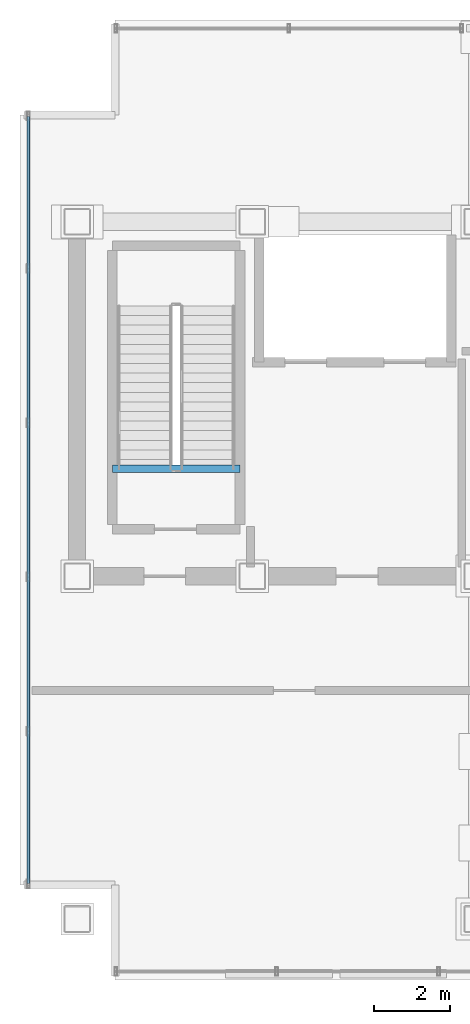
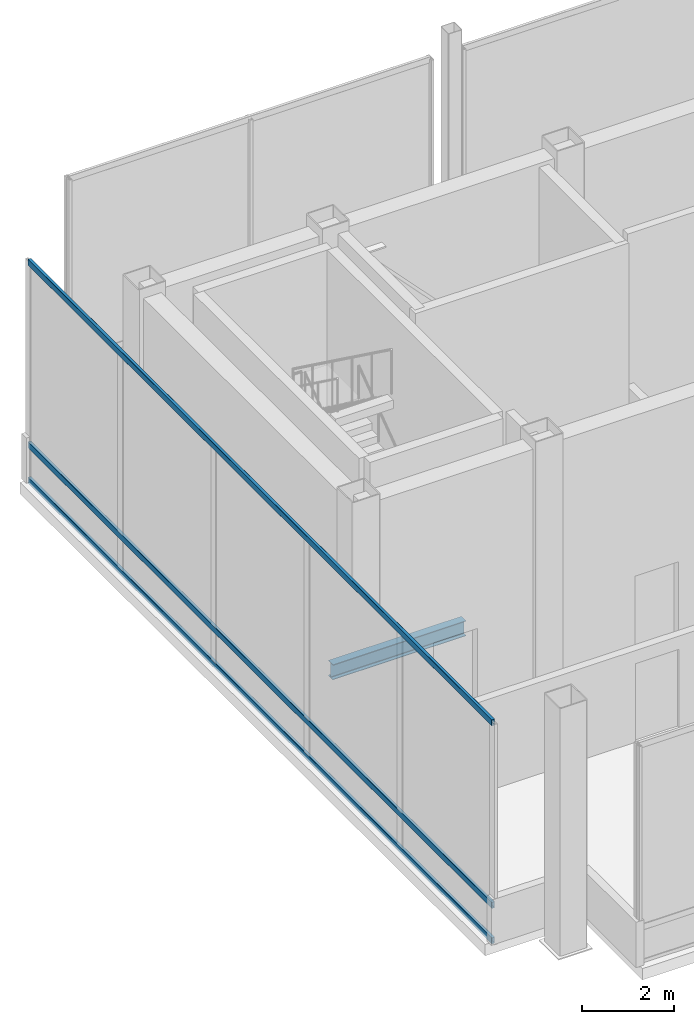
# One storey, part 5 of 19: 3 members, 1 beam, 1 element without a shape of its own.
"""IFC4 building model written with IfcOpenShell, lengths in metres."""

import ifcopenshell
import ifcopenshell.guid

model = None  # the IFC model being written
_history = None  # IfcOwnerHistory: only IFC2X3 demands one
_inside = {}  # id of a spatial element -> (the spatial element, [elements in it])
_under = {}  # id of a project, library or spatial element -> (it, [spatial elements below it])
_declared = {}  # id of a project -> (the project, [libraries it declares])
_typed = {}  # id of a type object -> (the type object, [elements of that type])
_made_of = {}  # id of a material, layer set ... -> (it, [elements and type objects made of it])


def new_model(schema):
    """Start an empty IFC model of exactly this schema.

    Asked for "IFC4X3", IfcOpenShell would pick the latest addendum, in which some entities
    have other attributes; the version numbers below select the first issue.
    IFC2X3 requires an IfcOwnerHistory on every rooted entity: one is made here for all.
    """
    global model, _history
    if schema == "IFC4X3":
        model = ifcopenshell.file(schema_version=(4, 3, 0, 0))
    else:
        model = ifcopenshell.file(schema=schema)
    _inside.clear()
    _under.clear()
    _declared.clear()
    _typed.clear()
    _made_of.clear()
    _history = None
    if model.schema == "IFC2X3":
        org = make("IfcOrganization", Name="unknown")
        user = make(
            "IfcPersonAndOrganization",
            ThePerson=make("IfcPerson", FamilyName="unknown"),
            TheOrganization=org,
        )
        app = make(
            "IfcApplication",
            ApplicationDeveloper=org,
            Version="unknown",
            ApplicationFullName="unknown",
            ApplicationIdentifier="unknown",
        )
        _history = make(
            "IfcOwnerHistory",
            OwningUser=user,
            OwningApplication=app,
            ChangeAction="ADDED",
            CreationDate=0,
        )
    return model


def make(cls, **values):
    """One entity of the class cls with the attributes given. An attribute that is None is left unset."""
    return model.create_entity(
        cls, **{name: value for name, value in values.items() if value is not None}
    )


def rooted(cls, **values):
    """An entity with a GlobalId (a new one), such as an element, a storey or a relation."""
    return make(cls, GlobalId=ifcopenshell.guid.new(), OwnerHistory=_history, **values)


def si_unit(unit_type, name, prefix=None):
    """IfcSIUnit, for example si_unit("LENGTHUNIT", "METRE", prefix="MILLI")."""
    return make("IfcSIUnit", UnitType=unit_type, Prefix=prefix, Name=name)


def assignment(units):
    """IfcUnitAssignment: the units of a project."""
    return None if units is None else make("IfcUnitAssignment", Units=units)


def point(xyz):
    """IfcCartesianPoint."""
    return None if xyz is None else make("IfcCartesianPoint", Coordinates=xyz)


def direction(xyz):
    """IfcDirection."""
    return None if xyz is None else make("IfcDirection", DirectionRatios=xyz)


def frame(location, z_axis=None, x_axis=None):
    """IfcAxis2Placement3D, a coordinate frame: its origin and axes. An axis left out is left unset."""
    return make(
        "IfcAxis2Placement3D",
        Location=point(location),
        Axis=direction(z_axis),
        RefDirection=direction(x_axis),
    )


def frame_2d(location, x_axis=None):
    """IfcAxis2Placement2D, a coordinate frame in the plane: its origin and x axis."""
    return make(
        "IfcAxis2Placement2D", Location=point(location), RefDirection=direction(x_axis)
    )


def origin():
    """The frame at (0, 0, 0) with its axes left unset."""
    return frame((0.0, 0.0, 0.0))


def origin_2d():
    """The frame at (0, 0) in the plane with its x axis left unset."""
    return frame_2d((0.0, 0.0))


def place(relative_to, where):
    """IfcLocalPlacement: puts the frame where relative to a parent placement (None: the world)."""
    return make(
        "IfcLocalPlacement", PlacementRelTo=relative_to, RelativePlacement=where
    )


def context(
    kind, dimensions, precision=None, world=None, true_north=None, identifier=None
):
    """IfcGeometricRepresentationContext, for example the 3D "Model" context."""
    return make(
        "IfcGeometricRepresentationContext",
        ContextIdentifier=identifier,
        ContextType=kind,
        CoordinateSpaceDimension=dimensions,
        Precision=precision,
        WorldCoordinateSystem=world,
        TrueNorth=true_north,
    )


def subcontext(parent, identifier, kind, view, scale=None):
    """IfcGeometricRepresentationSubContext, for example "Body" below "Model"."""
    return make(
        "IfcGeometricRepresentationSubContext",
        ContextIdentifier=identifier,
        ContextType=kind,
        ParentContext=parent,
        TargetScale=scale,
        TargetView=view,
    )


def project(units=None, contexts=None):
    """IfcProject with its units and contexts."""
    return rooted(
        "IfcProject",
        Name="project",
        RepresentationContexts=contexts,
        UnitsInContext=assignment(units),
    )


def spatial(cls, under=None, at=None, **own):
    """A site, building, storey or space (cls), placed at a placement, below another one or the project."""
    s = rooted(cls, ObjectPlacement=at, **own)
    if under is not None:
        _under.setdefault(under.id(), (under, []))[1].append(s)
    return s


def profile(cls, at=None, kind="AREA", **sizes):
    """A parametric profile (cls). Its sizes go by their IFC names, for example OverallWidth=200.0."""
    return make(cls, ProfileType=kind, Position=at, **sizes)


def hollow_rectangle(**sizes):
    """IfcRectangleHollowProfileDef."""
    return profile("IfcRectangleHollowProfileDef", **sizes)


def i_section(**sizes):
    """IfcIShapeProfileDef."""
    return profile("IfcIShapeProfileDef", **sizes)


def extrude(swept, where, along, depth):
    """IfcExtrudedAreaSolid: the profile swept, set in the frame where, extruded along a direction by depth."""
    return make(
        "IfcExtrudedAreaSolid",
        SweptArea=swept,
        Position=where,
        ExtrudedDirection=direction(along),
        Depth=depth,
    )


def shape(context_of_items, identifier, shape_type, items):
    """IfcShapeRepresentation: the items that make up one representation, for example the "Body"."""
    return make(
        "IfcShapeRepresentation",
        ContextOfItems=context_of_items,
        RepresentationIdentifier=identifier,
        RepresentationType=shape_type,
        Items=items,
    )


def material(Name=None, Category=None):
    """IfcMaterial."""
    return make("IfcMaterial", Name=Name, Category=Category)


def material_profile(
    of_material, cross_section, Name=None, Category=None, Priority=None
):
    """IfcMaterialProfile: a cross section and its material."""
    return make(
        "IfcMaterialProfile",
        Name=Name,
        Material=of_material,
        Profile=cross_section,
        Priority=Priority,
        Category=Category,
    )


def profile_set(profiles, Name=None, composite=None):
    """IfcMaterialProfileSet."""
    return make(
        "IfcMaterialProfileSet",
        Name=Name,
        MaterialProfiles=profiles,
        CompositeProfile=composite,
    )


def made_of(thing, what):
    """Note that an element or type object is made of a material, layer set ...; save() writes the relation."""
    if what is not None:
        _made_of.setdefault(what.id(), (what, []))[1].append(thing)
    return thing


def type_object(cls, material=None, **own):
    """A type object (cls), such as IfcWallType, which elements share."""
    return made_of(rooted(cls, **own), material)


def element(
    cls,
    number,
    at=None,
    inside=None,
    cuts=None,
    type_object=None,
    material=None,
    context=None,
    identifier="Body",
    shape_type=None,
    held_by="IfcProductDefinitionShape",
    body=None,
    shapes=None,
    **own,
):
    """One element of the class cls, such as IfcWall. Its Tag is "e" and its number.

    at: its placement. inside: the storey or other place that contains it. cuts: it is an
    opening in that element (IfcRelVoidsElement). A single representation is given by context,
    identifier, shape_type and body (its items); several are given by shapes. held_by: the class
    of the entity that holds the representations. save() writes the other relations.
    """
    e = rooted(cls, Tag="e%d" % number, ObjectPlacement=at, **own)
    if body is not None:
        shapes = [shape(context, identifier, shape_type, body)]
    if shapes is not None:
        e.Representation = make(held_by, Representations=shapes)
    if inside is not None:
        _inside.setdefault(inside.id(), (inside, []))[1].append(e)
    if cuts is not None:
        rooted(
            "IfcRelVoidsElement", RelatingBuildingElement=cuts, RelatedOpeningElement=e
        )
    if type_object is not None:
        _typed.setdefault(type_object.id(), (type_object, []))[1].append(e)
    return made_of(e, material)


def aggregate(whole, parts):
    """IfcRelAggregates: a whole, such as a stair, and the parts it consists of."""
    return rooted("IfcRelAggregates", RelatingObject=whole, RelatedObjects=parts)


def save(model, path):
    """Write the relations noted so far, then the file.

    IfcRelAggregates (storeys below a building ...), IfcRelContainedInSpatialStructure (elements
    in a storey), IfcRelDefinesByType, IfcRelAssociatesMaterial and IfcRelDeclares: one each for
    every whole, place, type object, material and project.
    """
    for whole, parts in _under.values():
        aggregate(whole, parts)
    for where, things in _inside.values():
        rooted(
            "IfcRelContainedInSpatialStructure",
            RelatedElements=things,
            RelatingStructure=where,
        )
    for kind, things in _typed.values():
        rooted("IfcRelDefinesByType", RelatedObjects=things, RelatingType=kind)
    for what, things in _made_of.values():
        rooted("IfcRelAssociatesMaterial", RelatedObjects=things, RelatingMaterial=what)
    for by, libraries in _declared.values():
        rooted("IfcRelDeclares", RelatingContext=by, RelatedDefinitions=libraries)
    model.write(path)


model = new_model("IFC4")

# Units and contexts
model_context = context("Model", 3, precision=1e-05, world=origin(), true_north=direction((0.0, 1.0)))
body_context = subcontext(model_context, "Body", "Model", "MODEL_VIEW")
ifc_project = project(units=[si_unit("LENGTHUNIT", "METRE"), si_unit("AREAUNIT", "SQUARE_METRE"), si_unit("VOLUMEUNIT", "CUBIC_METRE"), si_unit("PLANEANGLEUNIT", "RADIAN"), si_unit("MASSUNIT", "GRAM", prefix="KILO")], contexts=[model_context])

# Site, building, storey
site_placement = place(None, origin())
site = spatial("IfcSite", under=ifc_project, at=site_placement, CompositionType="ELEMENT")
building_placement = place(site_placement, origin())
building = spatial("IfcBuilding", under=site, at=building_placement, Name="Noeulbin Bourse Tower", CompositionType="ELEMENT")
storey_placement = place(building_placement, frame((0.0, 0.0, 306.0)))
storey = spatial("IfcBuildingStorey", under=building, at=storey_placement, Name="L76", CompositionType="ELEMENT", Elevation=306.0)

# Beam
ifc_material_1 = material(Name="Steel S355", Category="steel")
ifc_material_profile_1 = material_profile(ifc_material_1, i_section(OverallWidth=0.199951171875, OverallDepth=0.39990234375, WebThickness=0.008056640625, FlangeThickness=0.012939453125, FilletRadius=0.01611328125, at=origin_2d()), Name="H-400x200x8x13", Category="LoadBearing")
ifc_profile_set_1 = profile_set([ifc_material_profile_1], Name="Steel S355")
beam_type = type_object("IfcBeamType", Name="BM-SEC-400", PredefinedType="BEAM", material=ifc_profile_set_1)
beam_placement = place(storey_placement, frame((14.429931640625, 31.820068359375, -0.199951171875), z_axis=(1.0, 0.0, 0.0), x_axis=(0.0, 1.0, 0.0)))
element("IfcBeam", 1, at=beam_placement, inside=storey, type_object=beam_type, Name="Stair Threshold Trimmer Beam ST1-L76", PredefinedType="BEAM", context=body_context, shape_type="SweptSolid", body=[
    extrude(i_section(OverallWidth=0.199951171875, OverallDepth=0.39990234375, WebThickness=0.008056640625, FlangeThickness=0.012939453125, FilletRadius=0.01611328125, at=origin_2d()), origin(), (0.0, 0.0, 1.0), 3.340087890625),
])

# Curtain wall, members
ifc_material_2 = material(Name="Translucent Ceramic-Fritted Glass", Category="glass")
curtain_wall_type = type_object("IfcCurtainWallType", Name="CW-SYS-5", PredefinedType="NOTDEFINED", material=ifc_material_2)
curtain_wall_placement = place(storey_placement, origin())
curtain_wall = element("IfcCurtainWall", 2, at=curtain_wall_placement, inside=storey, type_object=curtain_wall_type, Name="Unitised Curtain Wall CW-L76-W", PredefinedType="NOTDEFINED")
ifc_material_3 = material(Name="Anodised Aluminium 6063-T6", Category="aluminium")
ifc_material_profile_2 = material_profile(ifc_material_3, hollow_rectangle(XDim=0.074951171875, YDim=0.159912109375, WallThickness=0.0048828125, InnerFilletRadius=0.00244140625, OuterFilletRadius=0.0048828125, at=origin_2d()), Name="ALU-TRAN-75x160x5", Category="LoadBearing")
ifc_profile_set_2 = profile_set([ifc_material_profile_2], Name="Anodised Aluminium 6063-T6")
member_type = type_object("IfcMemberType", Name="CW-SYS-5-TRN", PredefinedType="USERDEFINED", material=ifc_profile_set_2)
member_1_placement = place(storey_placement, frame((12.219970703125, 20.929931640625, 0.010009765625), z_axis=(0.0, 1.0, 0.0), x_axis=(-1.0, 0.0, 0.0)))
member_1 = element("IfcMember", 3, at=member_1_placement, type_object=member_type, Name="Curtain Wall Transom CW-L76-W-T00", ObjectType="TRANSOM", PredefinedType="USERDEFINED", context=body_context, shape_type="SweptSolid", body=[
    extrude(hollow_rectangle(XDim=0.074951171875, YDim=0.159912109375, WallThickness=0.0048828125, InnerFilletRadius=0.00244140625, OuterFilletRadius=0.0048828125, at=origin_2d()), origin(), (0.0, 0.0, 1.0), 20.14013671875),
])
member_2_placement = place(storey_placement, frame((12.219970703125, 20.929931640625, 0.949951171875), z_axis=(0.0, 1.0, 0.0), x_axis=(-1.0, 0.0, 0.0)))
member_2 = element("IfcMember", 4, at=member_2_placement, type_object=member_type, Name="Curtain Wall Transom CW-L76-W-T01", ObjectType="TRANSOM", PredefinedType="USERDEFINED", context=body_context, shape_type="SweptSolid", body=[
    extrude(hollow_rectangle(XDim=0.074951171875, YDim=0.159912109375, WallThickness=0.0048828125, InnerFilletRadius=0.00244140625, OuterFilletRadius=0.0048828125, at=origin_2d()), origin(), (0.0, 0.0, 1.0), 20.14013671875),
])
member_3_placement = place(storey_placement, frame((12.219970703125, 20.929931640625, 5.7900390625), z_axis=(0.0, 1.0, 0.0), x_axis=(-1.0, 0.0, 0.0)))
member_3 = element("IfcMember", 5, at=member_3_placement, type_object=member_type, Name="Curtain Wall Transom CW-L76-W-T02", ObjectType="TRANSOM", PredefinedType="USERDEFINED", context=body_context, shape_type="SweptSolid", body=[
    extrude(hollow_rectangle(XDim=0.074951171875, YDim=0.159912109375, WallThickness=0.0048828125, InnerFilletRadius=0.00244140625, OuterFilletRadius=0.0048828125, at=origin_2d()), origin(), (0.0, 0.0, 1.0), 20.14013671875),
])
aggregate(curtain_wall, [member_1, member_2, member_3])

save(model, "model.ifc")
